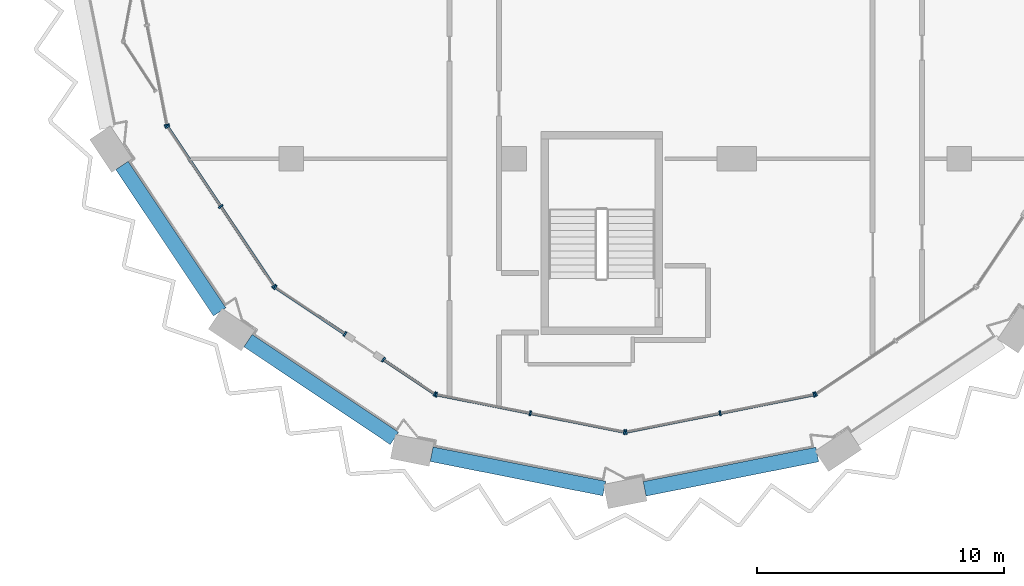
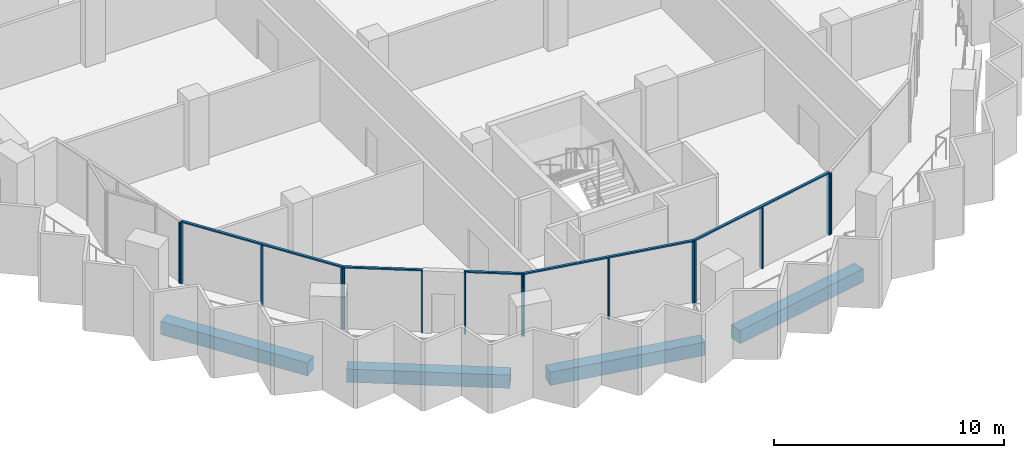
# One storey, part 2 of 17: 20 members, 4 beams, 7 elements without a shape of their own.
"""IFC4 building model written with IfcOpenShell, lengths in metres."""

import ifcopenshell
import ifcopenshell.guid

model = None  # the IFC model being written
_history = None  # IfcOwnerHistory: only IFC2X3 demands one
_inside = {}  # id of a spatial element -> (the spatial element, [elements in it])
_under = {}  # id of a project, library or spatial element -> (it, [spatial elements below it])
_declared = {}  # id of a project -> (the project, [libraries it declares])
_typed = {}  # id of a type object -> (the type object, [elements of that type])
_made_of = {}  # id of a material, layer set ... -> (it, [elements and type objects made of it])


def new_model(schema):
    """Start an empty IFC model of exactly this schema.

    Asked for "IFC4X3", IfcOpenShell would pick the latest addendum, in which some entities
    have other attributes; the version numbers below select the first issue.
    IFC2X3 requires an IfcOwnerHistory on every rooted entity: one is made here for all.
    """
    global model, _history
    if schema == "IFC4X3":
        model = ifcopenshell.file(schema_version=(4, 3, 0, 0))
    else:
        model = ifcopenshell.file(schema=schema)
    _inside.clear()
    _under.clear()
    _declared.clear()
    _typed.clear()
    _made_of.clear()
    _history = None
    if model.schema == "IFC2X3":
        org = make("IfcOrganization", Name="unknown")
        user = make(
            "IfcPersonAndOrganization",
            ThePerson=make("IfcPerson", FamilyName="unknown"),
            TheOrganization=org,
        )
        app = make(
            "IfcApplication",
            ApplicationDeveloper=org,
            Version="unknown",
            ApplicationFullName="unknown",
            ApplicationIdentifier="unknown",
        )
        _history = make(
            "IfcOwnerHistory",
            OwningUser=user,
            OwningApplication=app,
            ChangeAction="ADDED",
            CreationDate=0,
        )
    return model


def make(cls, **values):
    """One entity of the class cls with the attributes given. An attribute that is None is left unset."""
    return model.create_entity(
        cls, **{name: value for name, value in values.items() if value is not None}
    )


def rooted(cls, **values):
    """An entity with a GlobalId (a new one), such as an element, a storey or a relation."""
    return make(cls, GlobalId=ifcopenshell.guid.new(), OwnerHistory=_history, **values)


def si_unit(unit_type, name, prefix=None):
    """IfcSIUnit, for example si_unit("LENGTHUNIT", "METRE", prefix="MILLI")."""
    return make("IfcSIUnit", UnitType=unit_type, Prefix=prefix, Name=name)


def assignment(units):
    """IfcUnitAssignment: the units of a project."""
    return None if units is None else make("IfcUnitAssignment", Units=units)


def point(xyz):
    """IfcCartesianPoint."""
    return None if xyz is None else make("IfcCartesianPoint", Coordinates=xyz)


def direction(xyz):
    """IfcDirection."""
    return None if xyz is None else make("IfcDirection", DirectionRatios=xyz)


def frame(location, z_axis=None, x_axis=None):
    """IfcAxis2Placement3D, a coordinate frame: its origin and axes. An axis left out is left unset."""
    return make(
        "IfcAxis2Placement3D",
        Location=point(location),
        Axis=direction(z_axis),
        RefDirection=direction(x_axis),
    )


def frame_2d(location, x_axis=None):
    """IfcAxis2Placement2D, a coordinate frame in the plane: its origin and x axis."""
    return make(
        "IfcAxis2Placement2D", Location=point(location), RefDirection=direction(x_axis)
    )


def origin():
    """The frame at (0, 0, 0) with its axes left unset."""
    return frame((0.0, 0.0, 0.0))


def origin_2d():
    """The frame at (0, 0) in the plane with its x axis left unset."""
    return frame_2d((0.0, 0.0))


def place(relative_to, where):
    """IfcLocalPlacement: puts the frame where relative to a parent placement (None: the world)."""
    return make(
        "IfcLocalPlacement", PlacementRelTo=relative_to, RelativePlacement=where
    )


def context(
    kind, dimensions, precision=None, world=None, true_north=None, identifier=None
):
    """IfcGeometricRepresentationContext, for example the 3D "Model" context."""
    return make(
        "IfcGeometricRepresentationContext",
        ContextIdentifier=identifier,
        ContextType=kind,
        CoordinateSpaceDimension=dimensions,
        Precision=precision,
        WorldCoordinateSystem=world,
        TrueNorth=true_north,
    )


def subcontext(parent, identifier, kind, view, scale=None):
    """IfcGeometricRepresentationSubContext, for example "Body" below "Model"."""
    return make(
        "IfcGeometricRepresentationSubContext",
        ContextIdentifier=identifier,
        ContextType=kind,
        ParentContext=parent,
        TargetScale=scale,
        TargetView=view,
    )


def project(units=None, contexts=None):
    """IfcProject with its units and contexts."""
    return rooted(
        "IfcProject",
        Name="project",
        RepresentationContexts=contexts,
        UnitsInContext=assignment(units),
    )


def spatial(cls, under=None, at=None, **own):
    """A site, building, storey or space (cls), placed at a placement, below another one or the project."""
    s = rooted(cls, ObjectPlacement=at, **own)
    if under is not None:
        _under.setdefault(under.id(), (under, []))[1].append(s)
    return s


def profile(cls, at=None, kind="AREA", **sizes):
    """A parametric profile (cls). Its sizes go by their IFC names, for example OverallWidth=200.0."""
    return make(cls, ProfileType=kind, Position=at, **sizes)


def rectangle(**sizes):
    """IfcRectangleProfileDef."""
    return profile("IfcRectangleProfileDef", **sizes)


def extrude(swept, where, along, depth):
    """IfcExtrudedAreaSolid: the profile swept, set in the frame where, extruded along a direction by depth."""
    return make(
        "IfcExtrudedAreaSolid",
        SweptArea=swept,
        Position=where,
        ExtrudedDirection=direction(along),
        Depth=depth,
    )


def shape(context_of_items, identifier, shape_type, items):
    """IfcShapeRepresentation: the items that make up one representation, for example the "Body"."""
    return make(
        "IfcShapeRepresentation",
        ContextOfItems=context_of_items,
        RepresentationIdentifier=identifier,
        RepresentationType=shape_type,
        Items=items,
    )


def material(Name=None, Category=None):
    """IfcMaterial."""
    return make("IfcMaterial", Name=Name, Category=Category)


def material_profile(
    of_material, cross_section, Name=None, Category=None, Priority=None
):
    """IfcMaterialProfile: a cross section and its material."""
    return make(
        "IfcMaterialProfile",
        Name=Name,
        Material=of_material,
        Profile=cross_section,
        Priority=Priority,
        Category=Category,
    )


def profile_set(profiles, Name=None, composite=None):
    """IfcMaterialProfileSet."""
    return make(
        "IfcMaterialProfileSet",
        Name=Name,
        MaterialProfiles=profiles,
        CompositeProfile=composite,
    )


def made_of(thing, what):
    """Note that an element or type object is made of a material, layer set ...; save() writes the relation."""
    if what is not None:
        _made_of.setdefault(what.id(), (what, []))[1].append(thing)
    return thing


def type_object(cls, material=None, **own):
    """A type object (cls), such as IfcWallType, which elements share."""
    return made_of(rooted(cls, **own), material)


def element(
    cls,
    number,
    at=None,
    inside=None,
    cuts=None,
    type_object=None,
    material=None,
    context=None,
    identifier="Body",
    shape_type=None,
    held_by="IfcProductDefinitionShape",
    body=None,
    shapes=None,
    **own,
):
    """One element of the class cls, such as IfcWall. Its Tag is "e" and its number.

    at: its placement. inside: the storey or other place that contains it. cuts: it is an
    opening in that element (IfcRelVoidsElement). A single representation is given by context,
    identifier, shape_type and body (its items); several are given by shapes. held_by: the class
    of the entity that holds the representations. save() writes the other relations.
    """
    e = rooted(cls, Tag="e%d" % number, ObjectPlacement=at, **own)
    if body is not None:
        shapes = [shape(context, identifier, shape_type, body)]
    if shapes is not None:
        e.Representation = make(held_by, Representations=shapes)
    if inside is not None:
        _inside.setdefault(inside.id(), (inside, []))[1].append(e)
    if cuts is not None:
        rooted(
            "IfcRelVoidsElement", RelatingBuildingElement=cuts, RelatedOpeningElement=e
        )
    if type_object is not None:
        _typed.setdefault(type_object.id(), (type_object, []))[1].append(e)
    return made_of(e, material)


def aggregate(whole, parts):
    """IfcRelAggregates: a whole, such as a stair, and the parts it consists of."""
    return rooted("IfcRelAggregates", RelatingObject=whole, RelatedObjects=parts)


def save(model, path):
    """Write the relations noted so far, then the file.

    IfcRelAggregates (storeys below a building ...), IfcRelContainedInSpatialStructure (elements
    in a storey), IfcRelDefinesByType, IfcRelAssociatesMaterial and IfcRelDeclares: one each for
    every whole, place, type object, material and project.
    """
    for whole, parts in _under.values():
        aggregate(whole, parts)
    for where, things in _inside.values():
        rooted(
            "IfcRelContainedInSpatialStructure",
            RelatedElements=things,
            RelatingStructure=where,
        )
    for kind, things in _typed.values():
        rooted("IfcRelDefinesByType", RelatedObjects=things, RelatingType=kind)
    for what, things in _made_of.values():
        rooted("IfcRelAssociatesMaterial", RelatedObjects=things, RelatingMaterial=what)
    for by, libraries in _declared.values():
        rooted("IfcRelDeclares", RelatingContext=by, RelatedDefinitions=libraries)
    model.write(path)


model = new_model("IFC4")

# Units and contexts
model_context = context("Model", 3, precision=1e-05, world=origin(), true_north=direction((0.0, 1.0)))
body_context = subcontext(model_context, "Body", "Model", "MODEL_VIEW")
ifc_project = project(units=[si_unit("LENGTHUNIT", "METRE"), si_unit("AREAUNIT", "SQUARE_METRE"), si_unit("VOLUMEUNIT", "CUBIC_METRE"), si_unit("PLANEANGLEUNIT", "RADIAN"), si_unit("MASSUNIT", "GRAM", prefix="KILO")], contexts=[model_context])

# Site, building, storey
site_placement = place(None, origin())
site = spatial("IfcSite", under=ifc_project, at=site_placement, CompositionType="ELEMENT")
building_placement = place(site_placement, origin())
building = spatial("IfcBuilding", under=site, at=building_placement, Name="Hunhe Ridgeline Campus", CompositionType="ELEMENT")
storey_placement = place(building_placement, frame((0.0, 0.0, 268.800048828125)))
storey = spatial("IfcBuildingStorey", under=building, at=storey_placement, Name="L69", CompositionType="ELEMENT", Elevation=268.800048828125)

# Curtain wall, member
ifc_material_1 = material(Name="Aluminium 6063", Category="aluminium")
curtain_wall_type = type_object("IfcCurtainWallType", Name="Curtain wall CW-5", PredefinedType="NOTDEFINED", material=ifc_material_1)
curtain_wall_1_placement = place(storey_placement, origin())
curtain_wall_1 = element("IfcCurtainWall", 1, at=curtain_wall_1_placement, inside=storey, type_object=curtain_wall_type, Name="Curtain wall 01", PredefinedType="NOTDEFINED")
ifc_material_profile_1 = material_profile(ifc_material_1, rectangle(XDim=0.199951171875, YDim=0.070068359375, at=origin_2d()))
ifc_profile_set_1 = profile_set([ifc_material_profile_1], Name="Aluminium 6063")
member_type_1 = type_object("IfcMemberType", Name="CW-5 aluminium mullion", PredefinedType="MULLION", material=ifc_profile_set_1)
member_1_placement = place(storey_placement, frame((3.967529296875, 37.36083984375, 0.0), z_axis=(0.0, 0.0, 1.0), x_axis=(0.980784280831, 0.195095347137, 0.0)))
member_1 = element("IfcMember", 2, at=member_1_placement, type_object=member_type_1, Name="CW-5 mullion 3", PredefinedType="MULLION", context=body_context, shape_type="SweptSolid", body=[
    extrude(rectangle(XDim=0.199951171875, YDim=0.070068359375, at=origin_2d()), origin(), (0.0, 0.0, 1.0), 3.22998046875),
])
aggregate(curtain_wall_1, [member_1])

# Curtain wall, members
curtain_wall_2_placement = place(storey_placement, origin())
curtain_wall_2 = element("IfcCurtainWall", 3, at=curtain_wall_2_placement, inside=storey, type_object=curtain_wall_type, Name="Curtain wall 02", PredefinedType="NOTDEFINED")
member_2_placement = place(storey_placement, frame((3.993896484375, 37.29736328125, 0.0), z_axis=(0.0, 0.0, 1.0), x_axis=(0.831469584522, 0.555570274596, 0.0)))
member_2 = element("IfcMember", 4, at=member_2_placement, type_object=member_type_1, Name="CW-5 mullion 1", PredefinedType="MULLION", context=body_context, shape_type="SweptSolid", body=[
    extrude(rectangle(XDim=0.199951171875, YDim=0.070068359375, at=origin_2d()), origin(), (0.0, 0.0, 1.0), 3.22998046875),
])
member_3_placement = place(storey_placement, frame((6.147705078125, 34.07373046875, 0.0), z_axis=(0.0, 0.0, 1.0), x_axis=(0.831469584522, 0.555570274596, 0.0)))
member_3 = element("IfcMember", 5, at=member_3_placement, type_object=member_type_1, Name="CW-5 mullion 2", PredefinedType="MULLION", context=body_context, shape_type="SweptSolid", body=[
    extrude(rectangle(XDim=0.199951171875, YDim=0.070068359375, at=origin_2d()), origin(), (0.0, 0.0, 1.0), 3.22998046875),
])
member_4_placement = place(storey_placement, frame((8.3017578125, 30.850341796875, 0.0), z_axis=(0.0, 0.0, 1.0), x_axis=(0.831469584522, 0.555570274596, 0.0)))
member_4 = element("IfcMember", 6, at=member_4_placement, type_object=member_type_1, Name="CW-5 mullion 3", PredefinedType="MULLION", context=body_context, shape_type="SweptSolid", body=[
    extrude(rectangle(XDim=0.199951171875, YDim=0.070068359375, at=origin_2d()), origin(), (0.0, 0.0, 1.0), 3.22998046875),
])

curtain_wall_3_placement = place(storey_placement, origin())
curtain_wall_3 = element("IfcCurtainWall", 7, at=curtain_wall_3_placement, inside=storey, type_object=curtain_wall_type, Name="Curtain wall 03", PredefinedType="NOTDEFINED")
member_5_placement = place(storey_placement, frame((8.350341796875, 30.8017578125, 0.0), z_axis=(0.0, 0.0, 1.0), x_axis=(0.555570257501, 0.831469595944, 0.0)))
member_5 = element("IfcMember", 8, at=member_5_placement, type_object=member_type_1, Name="CW-5 mullion 1", PredefinedType="MULLION", context=body_context, shape_type="SweptSolid", body=[
    extrude(rectangle(XDim=0.199951171875, YDim=0.070068359375, at=origin_2d()), origin(), (0.0, 0.0, 1.0), 3.22998046875),
])
member_6_placement = place(storey_placement, frame((11.17041015625, 28.917236328125, 0.0), z_axis=(0.0, 0.0, 1.0), x_axis=(0.555570257501, 0.831469595944, 0.0)))
member_6 = element("IfcMember", 9, at=member_6_placement, type_object=member_type_1, Name="CW-5 mullion 2", PredefinedType="MULLION", context=body_context, shape_type="SweptSolid", body=[
    extrude(rectangle(XDim=0.199951171875, YDim=0.070068359375, at=origin_2d()), origin(), (0.0, 0.0, 1.0), 3.22998046875),
])

curtain_wall_4_placement = place(storey_placement, origin())
curtain_wall_4 = element("IfcCurtainWall", 10, at=curtain_wall_4_placement, inside=storey, type_object=curtain_wall_type, Name="Curtain wall 04", PredefinedType="NOTDEFINED")
member_7_placement = place(storey_placement, frame((12.725341796875, 27.87841796875, 0.0), z_axis=(0.0, 0.0, 1.0), x_axis=(0.555570385598, 0.831469510353, 0.0)))
member_7 = element("IfcMember", 11, at=member_7_placement, type_object=member_type_1, Name="CW-5 mullion 1", PredefinedType="MULLION", context=body_context, shape_type="SweptSolid", body=[
    extrude(rectangle(XDim=0.199951171875, YDim=0.070068359375, at=origin_2d()), origin(), (0.0, 0.0, 1.0), 3.22998046875),
])
member_8_placement = place(storey_placement, frame((14.79736328125, 26.493896484375, 0.0), z_axis=(0.0, 0.0, 1.0), x_axis=(0.555570385598, 0.831469510353, 0.0)))
member_8 = element("IfcMember", 12, at=member_8_placement, type_object=member_type_1, Name="CW-5 mullion 2", PredefinedType="MULLION", context=body_context, shape_type="SweptSolid", body=[
    extrude(rectangle(XDim=0.199951171875, YDim=0.070068359375, at=origin_2d()), origin(), (0.0, 0.0, 1.0), 3.22998046875),
])

curtain_wall_5_placement = place(storey_placement, origin())
curtain_wall_5 = element("IfcCurtainWall", 13, at=curtain_wall_5_placement, inside=storey, type_object=curtain_wall_type, Name="Curtain wall 05", PredefinedType="NOTDEFINED")
member_9_placement = place(storey_placement, frame((14.86083984375, 26.467529296875, 0.0), z_axis=(0.0, 0.0, 1.0), x_axis=(0.195090347539, 0.980785275326, 0.0)))
member_9 = element("IfcMember", 14, at=member_9_placement, type_object=member_type_1, Name="CW-5 mullion 1", PredefinedType="MULLION", context=body_context, shape_type="SweptSolid", body=[
    extrude(rectangle(XDim=0.199951171875, YDim=0.070068359375, at=origin_2d()), origin(), (0.0, 0.0, 1.0), 3.22998046875),
])
member_10_placement = place(storey_placement, frame((18.663330078125, 25.711181640625, 0.0), z_axis=(0.0, 0.0, 1.0), x_axis=(0.195090347539, 0.980785275326, 0.0)))
member_10 = element("IfcMember", 15, at=member_10_placement, type_object=member_type_1, Name="CW-5 mullion 2", PredefinedType="MULLION", context=body_context, shape_type="SweptSolid", body=[
    extrude(rectangle(XDim=0.199951171875, YDim=0.070068359375, at=origin_2d()), origin(), (0.0, 0.0, 1.0), 3.22998046875),
])
member_11_placement = place(storey_placement, frame((22.465576171875, 24.954833984375, 0.0), z_axis=(0.0, 0.0, 1.0), x_axis=(0.195090347539, 0.980785275326, 0.0)))
member_11 = element("IfcMember", 16, at=member_11_placement, type_object=member_type_1, Name="CW-5 mullion 3", PredefinedType="MULLION", context=body_context, shape_type="SweptSolid", body=[
    extrude(rectangle(XDim=0.199951171875, YDim=0.070068359375, at=origin_2d()), origin(), (0.0, 0.0, 1.0), 3.22998046875),
])

curtain_wall_6_placement = place(storey_placement, origin())
curtain_wall_6 = element("IfcCurtainWall", 17, at=curtain_wall_6_placement, inside=storey, type_object=curtain_wall_type, Name="Curtain wall 06", PredefinedType="NOTDEFINED")
member_12_placement = place(storey_placement, frame((22.534423828125, 24.954833984375, 0.0), z_axis=(0.0, 0.0, 1.0), x_axis=(-0.195090347539, 0.980785275326, 0.0)))
member_12 = element("IfcMember", 18, at=member_12_placement, type_object=member_type_1, Name="CW-5 mullion 1", PredefinedType="MULLION", context=body_context, shape_type="SweptSolid", body=[
    extrude(rectangle(XDim=0.199951171875, YDim=0.070068359375, at=origin_2d()), origin(), (0.0, 0.0, 1.0), 3.22998046875),
])
member_13_placement = place(storey_placement, frame((26.336669921875, 25.711181640625, 0.0), z_axis=(0.0, 0.0, 1.0), x_axis=(-0.195090347539, 0.980785275326, 0.0)))
member_13 = element("IfcMember", 19, at=member_13_placement, type_object=member_type_1, Name="CW-5 mullion 2", PredefinedType="MULLION", context=body_context, shape_type="SweptSolid", body=[
    extrude(rectangle(XDim=0.199951171875, YDim=0.070068359375, at=origin_2d()), origin(), (0.0, 0.0, 1.0), 3.22998046875),
])
member_14_placement = place(storey_placement, frame((30.13916015625, 26.467529296875, 0.0), z_axis=(0.0, 0.0, 1.0), x_axis=(-0.195090347539, 0.980785275326, 0.0)))
member_14 = element("IfcMember", 20, at=member_14_placement, type_object=member_type_1, Name="CW-5 mullion 3", PredefinedType="MULLION", context=body_context, shape_type="SweptSolid", body=[
    extrude(rectangle(XDim=0.199951171875, YDim=0.070068359375, at=origin_2d()), origin(), (0.0, 0.0, 1.0), 3.22998046875),
])

# Curtain wall, member
curtain_wall_7_placement = place(storey_placement, origin())
curtain_wall_7 = element("IfcCurtainWall", 21, at=curtain_wall_7_placement, inside=storey, type_object=curtain_wall_type, Name="Curtain wall 07", PredefinedType="NOTDEFINED")
member_15_placement = place(storey_placement, frame((30.20263671875, 26.493896484375, 0.0), z_axis=(0.0, 0.0, 1.0), x_axis=(-0.555570274596, 0.831469584522, 0.0)))
member_15 = element("IfcMember", 22, at=member_15_placement, type_object=member_type_1, Name="CW-5 mullion 1", PredefinedType="MULLION", context=body_context, shape_type="SweptSolid", body=[
    extrude(rectangle(XDim=0.199951171875, YDim=0.070068359375, at=origin_2d()), origin(), (0.0, 0.0, 1.0), 3.22998046875),
])
aggregate(curtain_wall_7, [member_15])

# Member
ifc_material_profile_2 = material_profile(ifc_material_1, rectangle(XDim=0.1201171875, YDim=0.070068359375, at=origin_2d()))
ifc_profile_set_2 = profile_set([ifc_material_profile_2], Name="Aluminium 6063")
member_type_2 = type_object("IfcMemberType", Name="CW-5 aluminium transom", PredefinedType="USERDEFINED", material=ifc_profile_set_2)
member_16_placement = place(storey_placement, frame((3.974365234375, 37.326416015625, 3.264892578125), z_axis=(0.5555640203, -0.831473763475, 0.0), x_axis=(0.831473763475, 0.5555640203, 0.0)))
member_16 = element("IfcMember", 23, at=member_16_placement, type_object=member_type_2, Name="CW-5 transom 1", ObjectType="TRANSOM", PredefinedType="USERDEFINED", context=body_context, shape_type="SweptSolid", body=[
    extrude(rectangle(XDim=0.1201171875, YDim=0.070068359375, at=origin_2d()), origin(), (0.0, 0.0, 1.0), 7.823974609375),
])

aggregate(curtain_wall_2, [member_16, member_2, member_3, member_4])

member_17_placement = place(storey_placement, frame((8.321044921875, 30.821044921875, 3.264892578125), z_axis=(0.831485714606, -0.555546133463, 0.0), x_axis=(0.555546133463, 0.831485714606, 0.0)))
member_17 = element("IfcMember", 24, at=member_17_placement, type_object=member_type_2, Name="CW-5 transom 1", ObjectType="TRANSOM", PredefinedType="USERDEFINED", context=body_context, shape_type="SweptSolid", body=[
    extrude(rectangle(XDim=0.1201171875, YDim=0.070068359375, at=origin_2d()), origin(), (0.0, 0.0, 1.0), 3.462158203125),
])

aggregate(curtain_wall_3, [member_17, member_5, member_6])

member_18_placement = place(storey_placement, frame((12.6962890625, 27.897705078125, 3.264892578125), z_axis=(0.831463388334, -0.555579547735, 0.0), x_axis=(0.555579547735, 0.831463388334, 0.0)))
member_18 = element("IfcMember", 25, at=member_18_placement, type_object=member_type_2, Name="CW-5 transom 1", ObjectType="TRANSOM", PredefinedType="USERDEFINED", context=body_context, shape_type="SweptSolid", body=[
    extrude(rectangle(XDim=0.1201171875, YDim=0.070068359375, at=origin_2d()), origin(), (0.0, 0.0, 1.0), 2.56201171875),
])

aggregate(curtain_wall_4, [member_18, member_7, member_8])

member_19_placement = place(storey_placement, frame((14.826416015625, 26.474365234375, 3.264892578125), z_axis=(0.980785367689, -0.195089883198, 0.0), x_axis=(0.195089883198, 0.980785367689, 0.0)))
member_19 = element("IfcMember", 26, at=member_19_placement, type_object=member_type_2, Name="CW-5 transom 1", ObjectType="TRANSOM", PredefinedType="USERDEFINED", context=body_context, shape_type="SweptSolid", body=[
    extrude(rectangle(XDim=0.1201171875, YDim=0.070068359375, at=origin_2d()), origin(), (0.0, 0.0, 1.0), 7.823974609375),
])

aggregate(curtain_wall_5, [member_19, member_9, member_10, member_11])

member_20_placement = place(storey_placement, frame((22.5, 24.947998046875, 3.264892578125), z_axis=(0.980785367689, 0.195089883198, 0.0), x_axis=(-0.195089883198, 0.980785367689, 0.0)))
member_20 = element("IfcMember", 27, at=member_20_placement, type_object=member_type_2, Name="CW-5 transom 1", ObjectType="TRANSOM", PredefinedType="USERDEFINED", context=body_context, shape_type="SweptSolid", body=[
    extrude(rectangle(XDim=0.1201171875, YDim=0.070068359375, at=origin_2d()), origin(), (0.0, 0.0, 1.0), 7.823974609375),
])

aggregate(curtain_wall_6, [member_20, member_12, member_13, member_14])

# Beams
ifc_material_2 = material(Name="Concrete C50", Category="concrete")
ifc_material_profile_3 = material_profile(ifc_material_2, rectangle(XDim=0.60009765625, YDim=0.699951171875, at=origin_2d()))
ifc_profile_set_3 = profile_set([ifc_material_profile_3], Name="Concrete C50")
beam_type = type_object("IfcBeamType", Name="RC spandrel beam 600x700 Concrete C50", PredefinedType="SPANDREL", material=ifc_profile_set_3)
for number, where, z_axis, x_axis, name in (
    (28, (2.1572265625, 35.724365234375, -0.60009765625), (0.55557907181, -0.831463706344, 0.0), (0.831463706344, 0.55557907181, 0.0), "Spandrel beam B4-2 L69"),
    (29, (7.25537109375, 28.645751953125, -0.60009765625), (0.831463706344, -0.55557907181, 0.0), (0.55557907181, 0.831463706344, 0.0), "Spandrel beam B4-3 L69"),
    (30, (14.67431640625, 24.056640625, -0.60009765625), (0.9807847609, -0.195092933717, 0.0), (0.195092933717, 0.9807847609, 0.0), "Spandrel beam B4-4 L69"),
    (31, (23.28466796875, 22.656005859375, -0.60009765625), (0.9807847609, 0.195092933717, 0.0), (-0.195092933717, 0.9807847609, 0.0), "Spandrel beam B4-5 L69"),
):
    element("IfcBeam", number, at=place(storey_placement, frame(where, z_axis=z_axis, x_axis=x_axis)), inside=storey, type_object=beam_type, Name=name, PredefinedType="SPANDREL", context=body_context, shape_type="SweptSolid", body=[
        extrude(rectangle(XDim=0.60009765625, YDim=0.699951171875, at=origin_2d()), origin(), (0.0, 0.0, 1.0), 7.113037109375),
    ])

save(model, "model.ifc")
